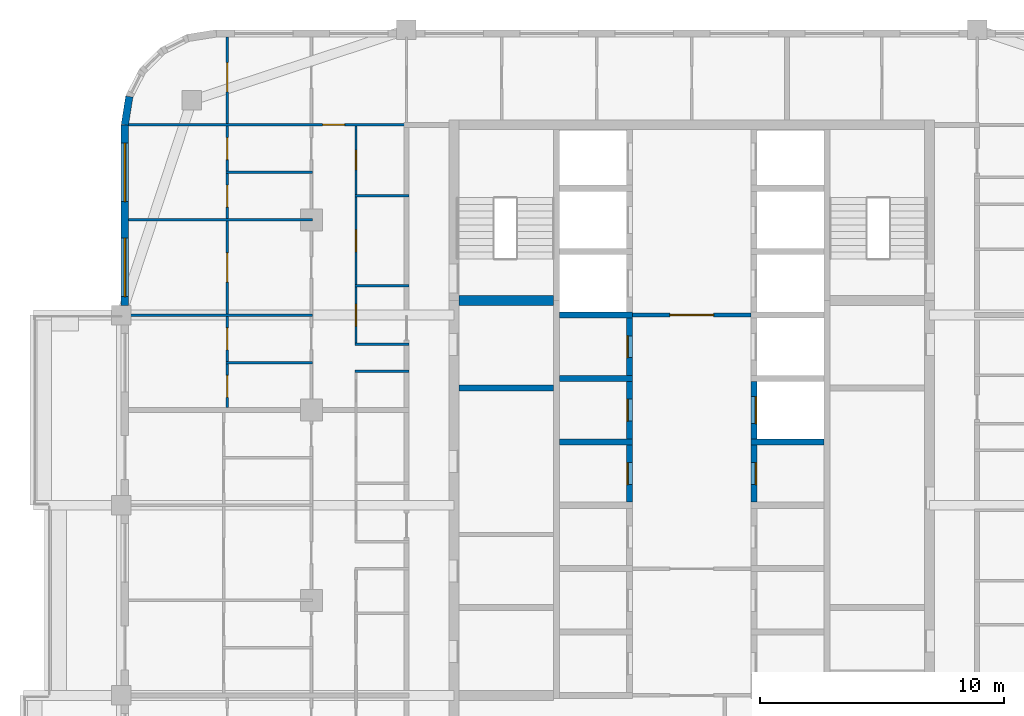
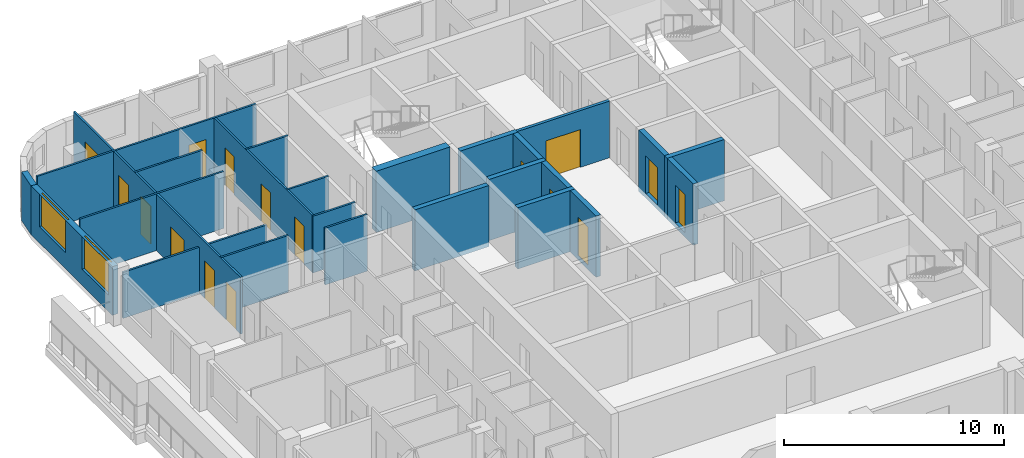
# One storey, part 9 of 16: 25 walls, 16 doors, 2 windows, 18 openings.
"""IFC4 building model written with IfcOpenShell, lengths in metres."""

import ifcopenshell
import ifcopenshell.guid

model = None  # the IFC model being written
_history = None  # IfcOwnerHistory: only IFC2X3 demands one
_inside = {}  # id of a spatial element -> (the spatial element, [elements in it])
_under = {}  # id of a project, library or spatial element -> (it, [spatial elements below it])
_declared = {}  # id of a project -> (the project, [libraries it declares])
_typed = {}  # id of a type object -> (the type object, [elements of that type])
_made_of = {}  # id of a material, layer set ... -> (it, [elements and type objects made of it])


def new_model(schema):
    """Start an empty IFC model of exactly this schema.

    Asked for "IFC4X3", IfcOpenShell would pick the latest addendum, in which some entities
    have other attributes; the version numbers below select the first issue.
    IFC2X3 requires an IfcOwnerHistory on every rooted entity: one is made here for all.
    """
    global model, _history
    if schema == "IFC4X3":
        model = ifcopenshell.file(schema_version=(4, 3, 0, 0))
    else:
        model = ifcopenshell.file(schema=schema)
    _inside.clear()
    _under.clear()
    _declared.clear()
    _typed.clear()
    _made_of.clear()
    _history = None
    if model.schema == "IFC2X3":
        org = make("IfcOrganization", Name="unknown")
        user = make(
            "IfcPersonAndOrganization",
            ThePerson=make("IfcPerson", FamilyName="unknown"),
            TheOrganization=org,
        )
        app = make(
            "IfcApplication",
            ApplicationDeveloper=org,
            Version="unknown",
            ApplicationFullName="unknown",
            ApplicationIdentifier="unknown",
        )
        _history = make(
            "IfcOwnerHistory",
            OwningUser=user,
            OwningApplication=app,
            ChangeAction="ADDED",
            CreationDate=0,
        )
    return model


def make(cls, **values):
    """One entity of the class cls with the attributes given. An attribute that is None is left unset."""
    return model.create_entity(
        cls, **{name: value for name, value in values.items() if value is not None}
    )


def rooted(cls, **values):
    """An entity with a GlobalId (a new one), such as an element, a storey or a relation."""
    return make(cls, GlobalId=ifcopenshell.guid.new(), OwnerHistory=_history, **values)


def si_unit(unit_type, name, prefix=None):
    """IfcSIUnit, for example si_unit("LENGTHUNIT", "METRE", prefix="MILLI")."""
    return make("IfcSIUnit", UnitType=unit_type, Prefix=prefix, Name=name)


def assignment(units):
    """IfcUnitAssignment: the units of a project."""
    return None if units is None else make("IfcUnitAssignment", Units=units)


def point(xyz):
    """IfcCartesianPoint."""
    return None if xyz is None else make("IfcCartesianPoint", Coordinates=xyz)


def direction(xyz):
    """IfcDirection."""
    return None if xyz is None else make("IfcDirection", DirectionRatios=xyz)


def frame(location, z_axis=None, x_axis=None):
    """IfcAxis2Placement3D, a coordinate frame: its origin and axes. An axis left out is left unset."""
    return make(
        "IfcAxis2Placement3D",
        Location=point(location),
        Axis=direction(z_axis),
        RefDirection=direction(x_axis),
    )


def frame_2d(location, x_axis=None):
    """IfcAxis2Placement2D, a coordinate frame in the plane: its origin and x axis."""
    return make(
        "IfcAxis2Placement2D", Location=point(location), RefDirection=direction(x_axis)
    )


def origin():
    """The frame at (0, 0, 0) with its axes left unset."""
    return frame((0.0, 0.0, 0.0))


def place(relative_to, where):
    """IfcLocalPlacement: puts the frame where relative to a parent placement (None: the world)."""
    return make(
        "IfcLocalPlacement", PlacementRelTo=relative_to, RelativePlacement=where
    )


def context(
    kind, dimensions, precision=None, world=None, true_north=None, identifier=None
):
    """IfcGeometricRepresentationContext, for example the 3D "Model" context."""
    return make(
        "IfcGeometricRepresentationContext",
        ContextIdentifier=identifier,
        ContextType=kind,
        CoordinateSpaceDimension=dimensions,
        Precision=precision,
        WorldCoordinateSystem=world,
        TrueNorth=true_north,
    )


def subcontext(parent, identifier, kind, view, scale=None):
    """IfcGeometricRepresentationSubContext, for example "Body" below "Model"."""
    return make(
        "IfcGeometricRepresentationSubContext",
        ContextIdentifier=identifier,
        ContextType=kind,
        ParentContext=parent,
        TargetScale=scale,
        TargetView=view,
    )


def project(units=None, contexts=None):
    """IfcProject with its units and contexts."""
    return rooted(
        "IfcProject",
        Name="project",
        RepresentationContexts=contexts,
        UnitsInContext=assignment(units),
    )


def spatial(cls, under=None, at=None, **own):
    """A site, building, storey or space (cls), placed at a placement, below another one or the project."""
    s = rooted(cls, ObjectPlacement=at, **own)
    if under is not None:
        _under.setdefault(under.id(), (under, []))[1].append(s)
    return s


def profile(cls, at=None, kind="AREA", **sizes):
    """A parametric profile (cls). Its sizes go by their IFC names, for example OverallWidth=200.0."""
    return make(cls, ProfileType=kind, Position=at, **sizes)


def rectangle(**sizes):
    """IfcRectangleProfileDef."""
    return profile("IfcRectangleProfileDef", **sizes)


def extrude(swept, where, along, depth):
    """IfcExtrudedAreaSolid: the profile swept, set in the frame where, extruded along a direction by depth."""
    return make(
        "IfcExtrudedAreaSolid",
        SweptArea=swept,
        Position=where,
        ExtrudedDirection=direction(along),
        Depth=depth,
    )


def shape(context_of_items, identifier, shape_type, items):
    """IfcShapeRepresentation: the items that make up one representation, for example the "Body"."""
    return make(
        "IfcShapeRepresentation",
        ContextOfItems=context_of_items,
        RepresentationIdentifier=identifier,
        RepresentationType=shape_type,
        Items=items,
    )


def material(Name=None, Category=None):
    """IfcMaterial."""
    return make("IfcMaterial", Name=Name, Category=Category)


def layer(
    of_material, thickness, ventilated=None, Name=None, Category=None, Priority=None
):
    """IfcMaterialLayer: one layer of a wall or slab, of a material (None: an air gap)."""
    return make(
        "IfcMaterialLayer",
        Material=of_material,
        LayerThickness=thickness,
        IsVentilated=ventilated,
        Name=Name,
        Category=Category,
        Priority=Priority,
    )


def layer_set(layers, Name=None):
    """IfcMaterialLayerSet."""
    return make("IfcMaterialLayerSet", MaterialLayers=layers, LayerSetName=Name)


def made_of(thing, what):
    """Note that an element or type object is made of a material, layer set ...; save() writes the relation."""
    if what is not None:
        _made_of.setdefault(what.id(), (what, []))[1].append(thing)
    return thing


def type_object(cls, material=None, **own):
    """A type object (cls), such as IfcWallType, which elements share."""
    return made_of(rooted(cls, **own), material)


def element(
    cls,
    number,
    at=None,
    inside=None,
    cuts=None,
    type_object=None,
    material=None,
    context=None,
    identifier="Body",
    shape_type=None,
    held_by="IfcProductDefinitionShape",
    body=None,
    shapes=None,
    **own,
):
    """One element of the class cls, such as IfcWall. Its Tag is "e" and its number.

    at: its placement. inside: the storey or other place that contains it. cuts: it is an
    opening in that element (IfcRelVoidsElement). A single representation is given by context,
    identifier, shape_type and body (its items); several are given by shapes. held_by: the class
    of the entity that holds the representations. save() writes the other relations.
    """
    e = rooted(cls, Tag="e%d" % number, ObjectPlacement=at, **own)
    if body is not None:
        shapes = [shape(context, identifier, shape_type, body)]
    if shapes is not None:
        e.Representation = make(held_by, Representations=shapes)
    if inside is not None:
        _inside.setdefault(inside.id(), (inside, []))[1].append(e)
    if cuts is not None:
        rooted(
            "IfcRelVoidsElement", RelatingBuildingElement=cuts, RelatedOpeningElement=e
        )
    if type_object is not None:
        _typed.setdefault(type_object.id(), (type_object, []))[1].append(e)
    return made_of(e, material)


def fill(opening, filler):
    """IfcRelFillsElement: the door or window that sits in an opening."""
    return rooted(
        "IfcRelFillsElement",
        RelatingOpeningElement=opening,
        RelatedBuildingElement=filler,
    )


def aggregate(whole, parts):
    """IfcRelAggregates: a whole, such as a stair, and the parts it consists of."""
    return rooted("IfcRelAggregates", RelatingObject=whole, RelatedObjects=parts)


def save(model, path):
    """Write the relations noted so far, then the file.

    IfcRelAggregates (storeys below a building ...), IfcRelContainedInSpatialStructure (elements
    in a storey), IfcRelDefinesByType, IfcRelAssociatesMaterial and IfcRelDeclares: one each for
    every whole, place, type object, material and project.
    """
    for whole, parts in _under.values():
        aggregate(whole, parts)
    for where, things in _inside.values():
        rooted(
            "IfcRelContainedInSpatialStructure",
            RelatedElements=things,
            RelatingStructure=where,
        )
    for kind, things in _typed.values():
        rooted("IfcRelDefinesByType", RelatedObjects=things, RelatingType=kind)
    for what, things in _made_of.values():
        rooted("IfcRelAssociatesMaterial", RelatedObjects=things, RelatingMaterial=what)
    for by, libraries in _declared.values():
        rooted("IfcRelDeclares", RelatingContext=by, RelatedDefinitions=libraries)
    model.write(path)


model = new_model("IFC4")

# Units and contexts
model_context = context("Model", 3, precision=1e-05, world=origin(), true_north=direction((0.0, 1.0)))
body_context = subcontext(model_context, "Body", "Model", "MODEL_VIEW")
ifc_project = project(units=[si_unit("LENGTHUNIT", "METRE"), si_unit("AREAUNIT", "SQUARE_METRE"), si_unit("VOLUMEUNIT", "CUBIC_METRE"), si_unit("PLANEANGLEUNIT", "RADIAN"), si_unit("MASSUNIT", "GRAM", prefix="KILO")], contexts=[model_context])

# Site, building, storey
site_placement = place(None, origin())
site = spatial("IfcSite", under=ifc_project, at=site_placement, CompositionType="ELEMENT")
building_placement = place(site_placement, origin())
building = spatial("IfcBuilding", under=site, at=building_placement, Name="Ludao Terraces", CompositionType="ELEMENT")
storey_placement = place(building_placement, frame((0.0, 0.0, 224.5)))
storey = spatial("IfcBuildingStorey", under=building, at=storey_placement, Name="L61", CompositionType="ELEMENT", Elevation=224.5)

# Wall, openings, windows
ifc_material_1 = material(Name="Granite cladding", Category="masonry")
ifc_layer_1 = layer(ifc_material_1, 0.0400390625, Category="stone")
ifc_material_2 = material(Name="Mineral wool")
ifc_layer_2 = layer(ifc_material_2, 0.06005859375)
ifc_material_3 = material(Name="Concrete C40", Category="concrete")
ifc_layer_3 = layer(ifc_material_3, 0.199951171875, Category="concrete")
ifc_layer_set_1 = layer_set([ifc_layer_1, ifc_layer_2, ifc_layer_3], Name="ENV Stone-clad wall 300")
wall_type_1 = type_object("IfcWallType", Name="ENV Stone-clad wall 300", PredefinedType="SOLIDWALL", material=ifc_layer_set_1)
wall_1_placement = place(storey_placement, frame((61.75, 77.10009765625, 0.0), z_axis=(0.0, 0.0, 1.0), x_axis=(0.0, 1.0, 0.0)))
wall_1 = element("IfcWall", 1, at=wall_1_placement, inside=storey, type_object=wall_type_1, Name="EW-L61-W5", PredefinedType="SOLIDWALL", context=body_context, shape_type="SweptSolid", body=[
    extrude(rectangle(XDim=7.39990234375, YDim=0.300048828125, at=frame_2d((3.699951171875, 0.0))), origin(), (0.0, 0.0, 1.0), 2.699951171875),
])
opening_1_placement = place(wall_1_placement, frame((0.35009765625, 0.0, 0.89990234375)))
opening_1 = element("IfcOpeningElement", 2, at=opening_1_placement, cuts=wall_1, Name="Opening W1", PredefinedType="OPENING", context=body_context, shape_type="SweptSolid", body=[
    extrude(rectangle(XDim=2.39990234375, YDim=1.800048828125, at=frame_2d((1.199951171875, 0.89990234375))), frame((0.0, 0.16015625, 0.0), z_axis=(0.0, -1.0, 0.0), x_axis=(1.0, 0.0, 0.0)), (0.0, 0.0, 1.0), 0.320068359375),
])
opening_2_placement = place(wall_1_placement, frame((4.25, 0.0, 0.89990234375)))
opening_2 = element("IfcOpeningElement", 3, at=opening_2_placement, cuts=wall_1, Name="Opening W1", PredefinedType="OPENING", context=body_context, shape_type="SweptSolid", body=[
    extrude(rectangle(XDim=2.39990234375, YDim=1.800048828125, at=frame_2d((1.199951171875, 0.89990234375))), frame((0.0, 0.16015625, 0.0), z_axis=(0.0, -1.0, 0.0), x_axis=(1.0, 0.0, 0.0)), (0.0, 0.0, 1.0), 0.320068359375),
])
ifc_material_4 = material(Name="Clear glass in aluminium frame", Category="aluminium")
ifc_layer_4 = layer(ifc_material_4, 0.06005859375)
ifc_layer_set_2 = layer_set([ifc_layer_4], Name="ENV Window W1 2400x1800")
window_type = type_object("IfcWindowType", Name="ENV Window W1 2400x1800", PartitioningType="DOUBLE_PANEL_VERTICAL", PredefinedType="WINDOW", material=ifc_layer_set_2)
window_1_placement = place(opening_1_placement, origin())
window_1 = element("IfcWindow", 4, at=window_1_placement, inside=storey, type_object=window_type, Name="W-L61-W5-1", OverallHeight=1.800048828125, OverallWidth=2.39990234375, PartitioningType="DOUBLE_PANEL_VERTICAL", PredefinedType="WINDOW", context=body_context, shape_type="SweptSolid", body=[
    extrude(rectangle(XDim=2.39990234375, YDim=1.800048828125, at=frame_2d((1.199951171875, 0.89990234375))), frame((0.0, 0.030029296875, 0.0), z_axis=(0.0, -1.0, 0.0), x_axis=(1.0, 0.0, 0.0)), (0.0, 0.0, 1.0), 0.06005859375),
])
fill(opening_1, window_1)
window_2_placement = place(opening_2_placement, origin())
window_2 = element("IfcWindow", 5, at=window_2_placement, inside=storey, type_object=window_type, Name="W-L61-W5-2", OverallHeight=1.800048828125, OverallWidth=2.39990234375, PartitioningType="DOUBLE_PANEL_VERTICAL", PredefinedType="WINDOW", context=body_context, shape_type="SweptSolid", body=[
    extrude(rectangle(XDim=2.39990234375, YDim=1.800048828125, at=frame_2d((1.199951171875, 0.89990234375))), frame((0.0, 0.030029296875, 0.0), z_axis=(0.0, -1.0, 0.0), x_axis=(1.0, 0.0, 0.0)), (0.0, 0.0, 1.0), 0.06005859375),
])
fill(opening_2, window_2)

# Wall
wall_2_placement = place(storey_placement, frame((61.93359375, 85.65869140625, 0.0), z_axis=(0.0, 0.0, 1.0), x_axis=(-0.156496880861, -0.987678452879, 0.0)))
element("IfcWall", 6, at=wall_2_placement, inside=storey, type_object=wall_type_1, Name="EW-L61-NW5", PredefinedType="SOLIDWALL", context=body_context, shape_type="SweptSolid", body=[
    extrude(rectangle(XDim=1.173095703125, YDim=0.300048828125, at=frame_2d((0.58642578125, 0.0))), origin(), (0.0, 0.0, 1.0), 2.699951171875),
])

# Wall, opening, door
ifc_material_5 = material(Name="Fire-rated gypsum plasterboard", Category="gypsum")
ifc_layer_5 = layer(ifc_material_5, 0.012451171875, Category="gypsum")
ifc_layer_6 = layer(ifc_material_2, 0.10009765625, Name="insulation")
ifc_material_6 = material(Name="Steel Q235", Category="steel")
ifc_layer_7 = layer(ifc_material_6, 0.02490234375, Name="stud")
ifc_layer_8 = layer(ifc_material_5, 0.012451171875, Category="gypsum")
ifc_layer_set_3 = layer_set([ifc_layer_5, ifc_layer_6, ifc_layer_7, ifc_layer_8], Name="INT Core partition 150")
wall_type_2 = type_object("IfcWallType", Name="INT Core partition 150", PredefinedType="PARTITIONING", material=ifc_layer_set_3)
wall_3_placement = place(storey_placement, frame((82.5751953125, 76.699951171875, 0.0), z_axis=(0.0, 0.0, 1.0), x_axis=(1.0, 0.0, 0.0)))
wall_3 = element("IfcWall", 7, at=wall_3_placement, inside=storey, type_object=wall_type_2, Name="PW-L61-PW055", PredefinedType="PARTITIONING", context=body_context, shape_type="SweptSolid", body=[
    extrude(rectangle(XDim=4.849853515625, YDim=0.14990234375, at=frame_2d((2.4248046875, 0.0))), origin(), (0.0, 0.0, 1.0), 3.14990234375),
])
opening_3_placement = place(wall_3_placement, frame((1.52490234375, 0.0, 0.0)))
opening_3 = element("IfcOpeningElement", 8, at=opening_3_placement, cuts=wall_3, Name="Opening R22-105", PredefinedType="OPENING", context=body_context, shape_type="SweptSolid", body=[
    extrude(rectangle(XDim=1.800048828125, YDim=2.10009765625, at=frame_2d((0.89990234375, 1.050048828125))), frame((0.0, 0.0849609375, 0.0), z_axis=(0.0, -1.0, 0.0), x_axis=(1.0, 0.0, 0.0)), (0.0, 0.0, 1.0), 0.169921875),
])
door_type_1 = type_object("IfcDoorType", Name="INT Fire lobby door 1800", OperationType="DOUBLE_DOOR_SINGLE_SWING", PredefinedType="DOOR", material=ifc_material_6)
door_1_placement = place(opening_3_placement, origin())
door_1 = element("IfcDoor", 9, at=door_1_placement, inside=storey, type_object=door_type_1, Name="DOOR 105", OperationType="DOUBLE_DOOR_SINGLE_SWING", OverallHeight=2.10009765625, OverallWidth=1.800048828125, PredefinedType="DOOR", context=body_context, shape_type="SweptSolid", body=[
    extrude(rectangle(XDim=1.800048828125, YDim=2.10009765625, at=frame_2d((0.89990234375, 1.050048828125))), frame((0.0, 0.02490234375, 0.0), z_axis=(0.0, -1.0, 0.0), x_axis=(1.0, 0.0, 0.0)), (0.0, 0.0, 1.0), 0.050048828125),
])
fill(opening_3, door_1)

# Walls
ifc_material_7 = material(Name="Gypsum plasterboard", Category="gypsum")
ifc_layer_9 = layer(ifc_material_7, 0.012451171875, Category="gypsum")
ifc_layer_10 = layer(ifc_material_2, 0.06005859375, Name="insulation")
ifc_layer_11 = layer(ifc_material_6, 0.014892578125, Name="stud")
ifc_layer_12 = layer(ifc_material_7, 0.012451171875, Category="gypsum")
ifc_layer_set_4 = layer_set([ifc_layer_9, ifc_layer_10, ifc_layer_11, ifc_layer_12], Name="INT Partition 100")
wall_type_3 = type_object("IfcWallType", Name="INT Partition 100", PredefinedType="PARTITIONING", material=ifc_layer_set_4)
wall_4_placement = place(storey_placement, frame((71.18017578125, 74.39990234375, 0.0), z_axis=(0.0, 0.0, 1.0), x_axis=(1.0, 0.0, 0.0)))
element("IfcWall", 10, at=wall_4_placement, inside=storey, type_object=wall_type_3, Name="PW-L61-PW050", PredefinedType="PARTITIONING", context=body_context, shape_type="SweptSolid", body=[
    extrude(rectangle(XDim=2.219970703125, YDim=0.10009765625, at=frame_2d((1.10986328125, 0.0))), origin(), (0.0, 0.0, 1.0), 3.14990234375),
])
wall_5_placement = place(storey_placement, frame((65.900146484375, 74.75, 0.0), z_axis=(0.0, 0.0, 1.0), x_axis=(1.0, 0.0, 0.0)))
element("IfcWall", 11, at=wall_5_placement, inside=storey, type_object=wall_type_3, Name="PW-L61-PW051", PredefinedType="PARTITIONING", context=body_context, shape_type="SweptSolid", body=[
    extrude(rectangle(XDim=3.550048828125, YDim=0.10009765625, at=frame_2d((1.77490234375, 0.0))), origin(), (0.0, 0.0, 1.0), 3.14990234375),
])
wall_6_placement = place(storey_placement, frame((71.18017578125, 75.5, 0.0), z_axis=(0.0, 0.0, 1.0), x_axis=(1.0, 0.0, 0.0)))
element("IfcWall", 12, at=wall_6_placement, inside=storey, type_object=wall_type_3, Name="PW-L61-PW053", PredefinedType="PARTITIONING", context=body_context, shape_type="SweptSolid", body=[
    extrude(rectangle(XDim=2.219970703125, YDim=0.10009765625, at=frame_2d((1.10986328125, 0.0))), origin(), (0.0, 0.0, 1.0), 3.14990234375),
])
wall_7_placement = place(storey_placement, frame((61.900146484375, 76.699951171875, 0.0), z_axis=(0.0, 0.0, 1.0), x_axis=(1.0, 0.0, 0.0)))
element("IfcWall", 13, at=wall_7_placement, inside=storey, type_object=wall_type_3, Name="PW-L61-PW054", PredefinedType="PARTITIONING", context=body_context, shape_type="SweptSolid", body=[
    extrude(rectangle(XDim=7.550048828125, YDim=0.10009765625, at=frame_2d((3.77490234375, 0.0))), origin(), (0.0, 0.0, 1.0), 2.550048828125),
])
wall_8_placement = place(storey_placement, frame((71.18017578125, 77.89990234375, 0.0), z_axis=(0.0, 0.0, 1.0), x_axis=(1.0, 0.0, 0.0)))
element("IfcWall", 14, at=wall_8_placement, inside=storey, type_object=wall_type_3, Name="PW-L61-PW057", PredefinedType="PARTITIONING", context=body_context, shape_type="SweptSolid", body=[
    extrude(rectangle(XDim=2.219970703125, YDim=0.10009765625, at=frame_2d((1.10986328125, 0.0))), origin(), (0.0, 0.0, 1.0), 3.14990234375),
])
wall_9_placement = place(storey_placement, frame((61.900146484375, 80.60009765625, 0.0), z_axis=(0.0, 0.0, 1.0), x_axis=(1.0, 0.0, 0.0)))
element("IfcWall", 15, at=wall_9_placement, inside=storey, type_object=wall_type_3, Name="PW-L61-PW059", PredefinedType="PARTITIONING", context=body_context, shape_type="SweptSolid", body=[
    extrude(rectangle(XDim=7.550048828125, YDim=0.10009765625, at=frame_2d((3.77490234375, 0.0))), origin(), (0.0, 0.0, 1.0), 3.14990234375),
])
wall_10_placement = place(storey_placement, frame((71.18017578125, 81.60009765625, 0.0), z_axis=(0.0, 0.0, 1.0), x_axis=(1.0, 0.0, 0.0)))
element("IfcWall", 16, at=wall_10_placement, inside=storey, type_object=wall_type_3, Name="PW-L61-PW062", PredefinedType="PARTITIONING", context=body_context, shape_type="SweptSolid", body=[
    extrude(rectangle(XDim=2.219970703125, YDim=0.10009765625, at=frame_2d((1.10986328125, 0.0))), origin(), (0.0, 0.0, 1.0), 3.14990234375),
])
wall_11_placement = place(storey_placement, frame((65.900146484375, 82.550048828125, 0.0), z_axis=(0.0, 0.0, 1.0), x_axis=(1.0, 0.0, 0.0)))
element("IfcWall", 17, at=wall_11_placement, inside=storey, type_object=wall_type_3, Name="PW-L61-PW064", PredefinedType="PARTITIONING", context=body_context, shape_type="SweptSolid", body=[
    extrude(rectangle(XDim=3.550048828125, YDim=0.10009765625, at=frame_2d((1.77490234375, 0.0))), origin(), (0.0, 0.0, 1.0), 3.14990234375),
])

# Wall, opening, door
wall_12_placement = place(storey_placement, frame((61.900146484375, 84.5, 0.0), z_axis=(0.0, 0.0, 1.0), x_axis=(1.0, 0.0, 0.0)))
wall_12 = element("IfcWall", 18, at=wall_12_placement, inside=storey, type_object=wall_type_3, Name="PW-L61-PW065", PredefinedType="PARTITIONING", context=body_context, shape_type="SweptSolid", body=[
    extrude(rectangle(XDim=11.5, YDim=0.10009765625, at=frame_2d((5.75, 0.0))), origin(), (0.0, 0.0, 1.0), 3.14990234375),
])
opening_4_placement = place(wall_12_placement, frame((7.965087890625, 0.0, 0.0)))
opening_4 = element("IfcOpeningElement", 19, at=opening_4_placement, cuts=wall_12, Name="Opening R22-129", PredefinedType="OPENING", context=body_context, shape_type="SweptSolid", body=[
    extrude(rectangle(XDim=0.89990234375, YDim=2.10009765625, at=frame_2d((0.449951171875, 1.050048828125))), frame((0.0, 0.06005859375, 0.0), z_axis=(0.0, -1.0, 0.0), x_axis=(1.0, 0.0, 0.0)), (0.0, 0.0, 1.0), 0.1201171875),
])
ifc_material_8 = material(Name="Timber door leaf", Category="wood")
door_type_2 = type_object("IfcDoorType", Name="INT Room door 900", OperationType="SINGLE_SWING_LEFT", PredefinedType="DOOR", material=ifc_material_8)
door_2_placement = place(opening_4_placement, origin())
door_2 = element("IfcDoor", 20, at=door_2_placement, inside=storey, type_object=door_type_2, Name="DOOR 129", OperationType="SINGLE_SWING_LEFT", OverallHeight=2.10009765625, OverallWidth=0.89990234375, PredefinedType="DOOR", context=body_context, shape_type="SweptSolid", body=[
    extrude(rectangle(XDim=0.89990234375, YDim=2.10009765625, at=frame_2d((0.449951171875, 1.050048828125))), frame((0.0, 0.02490234375, 0.0), z_axis=(0.0, -1.0, 0.0), x_axis=(1.0, 0.0, 0.0)), (0.0, 0.0, 1.0), 0.050048828125),
])
fill(opening_4, door_2)

# Wall, openings, doors
wall_13_placement = place(storey_placement, frame((65.949951171875, 72.900146484375, 0.0), z_axis=(0.0, 0.0, 1.0), x_axis=(0.0, 1.0, 0.0)))
wall_13 = element("IfcWall", 21, at=wall_13_placement, inside=storey, type_object=wall_type_3, Name="PW-L61-PW071", PredefinedType="PARTITIONING", context=body_context, shape_type="SweptSolid", body=[
    extrude(rectangle(XDim=15.199951171875, YDim=0.10009765625, at=frame_2d((7.60009765625, 0.0))), origin(), (0.0, 0.0, 1.0), 3.14990234375),
])
opening_5_placement = place(wall_13_placement, frame((0.425048828125, 0.0, 0.0)))
opening_5 = element("IfcOpeningElement", 22, at=opening_5_placement, cuts=wall_13, Name="Opening R22-092", PredefinedType="OPENING", context=body_context, shape_type="SweptSolid", body=[
    extrude(rectangle(XDim=0.89990234375, YDim=2.10009765625, at=frame_2d((0.449951171875, 1.050048828125))), frame((0.0, 0.06005859375, 0.0), z_axis=(0.0, -1.0, 0.0), x_axis=(1.0, 0.0, 0.0)), (0.0, 0.0, 1.0), 0.1201171875),
])
opening_6_placement = place(wall_13_placement, frame((2.375, 0.0, 0.0)))
opening_6 = element("IfcOpeningElement", 23, at=opening_6_placement, cuts=wall_13, Name="Opening R22-099", PredefinedType="OPENING", context=body_context, shape_type="SweptSolid", body=[
    extrude(rectangle(XDim=0.89990234375, YDim=2.10009765625, at=frame_2d((0.449951171875, 1.050048828125))), frame((0.0, 0.06005859375, 0.0), z_axis=(0.0, -1.0, 0.0), x_axis=(1.0, 0.0, 0.0)), (0.0, 0.0, 1.0), 0.1201171875),
])
opening_7_placement = place(wall_13_placement, frame((5.14990234375, 0.0, 0.0)))
opening_7 = element("IfcOpeningElement", 24, at=opening_7_placement, cuts=wall_13, Name="Opening R22-111", PredefinedType="OPENING", context=body_context, shape_type="SweptSolid", body=[
    extrude(rectangle(XDim=1.199951171875, YDim=2.10009765625, at=frame_2d((0.60009765625, 1.050048828125))), frame((0.0, 0.06005859375, 0.0), z_axis=(0.0, -1.0, 0.0), x_axis=(1.0, 0.0, 0.0)), (0.0, 0.0, 1.0), 0.1201171875),
])
opening_8_placement = place(wall_13_placement, frame((8.22509765625, 0.0, 0.0)))
opening_8 = element("IfcOpeningElement", 25, at=opening_8_placement, cuts=wall_13, Name="Opening R22-119", PredefinedType="OPENING", context=body_context, shape_type="SweptSolid", body=[
    extrude(rectangle(XDim=0.89990234375, YDim=2.10009765625, at=frame_2d((0.449951171875, 1.050048828125))), frame((0.0, 0.06005859375, 0.0), z_axis=(0.0, -1.0, 0.0), x_axis=(1.0, 0.0, 0.0)), (0.0, 0.0, 1.0), 0.1201171875),
])
opening_9_placement = place(wall_13_placement, frame((10.175048828125, 0.0, 0.0)))
opening_9 = element("IfcOpeningElement", 26, at=opening_9_placement, cuts=wall_13, Name="Opening R22-127", PredefinedType="OPENING", context=body_context, shape_type="SweptSolid", body=[
    extrude(rectangle(XDim=0.89990234375, YDim=2.10009765625, at=frame_2d((0.449951171875, 1.050048828125))), frame((0.0, 0.06005859375, 0.0), z_axis=(0.0, -1.0, 0.0), x_axis=(1.0, 0.0, 0.0)), (0.0, 0.0, 1.0), 0.1201171875),
])
opening_10_placement = place(wall_13_placement, frame((12.949951171875, 0.0, 0.0)))
opening_10 = element("IfcOpeningElement", 27, at=opening_10_placement, cuts=wall_13, Name="Opening R22-131", PredefinedType="OPENING", context=body_context, shape_type="SweptSolid", body=[
    extrude(rectangle(XDim=1.199951171875, YDim=2.10009765625, at=frame_2d((0.60009765625, 1.050048828125))), frame((0.0, 0.06005859375, 0.0), z_axis=(0.0, -1.0, 0.0), x_axis=(1.0, 0.0, 0.0)), (0.0, 0.0, 1.0), 0.1201171875),
])
door_type_3 = type_object("IfcDoorType", Name="INT Bathroom door 900", OperationType="SINGLE_SWING_LEFT", PredefinedType="DOOR", material=ifc_material_8)
door_3_placement = place(opening_5_placement, origin())
door_3 = element("IfcDoor", 28, at=door_3_placement, inside=storey, type_object=door_type_3, Name="DOOR 092", OperationType="SINGLE_SWING_RIGHT", OverallHeight=2.10009765625, OverallWidth=0.89990234375, PredefinedType="DOOR", context=body_context, shape_type="SweptSolid", body=[
    extrude(rectangle(XDim=0.89990234375, YDim=2.10009765625, at=frame_2d((0.449951171875, 1.050048828125))), frame((0.0, 0.02490234375, 0.0), z_axis=(0.0, -1.0, 0.0), x_axis=(1.0, 0.0, 0.0)), (0.0, 0.0, 1.0), 0.050048828125),
])
fill(opening_5, door_3)
door_4_placement = place(opening_8_placement, origin())
door_4 = element("IfcDoor", 29, at=door_4_placement, inside=storey, type_object=door_type_3, Name="DOOR 119", OperationType="SINGLE_SWING_LEFT", OverallHeight=2.10009765625, OverallWidth=0.89990234375, PredefinedType="DOOR", context=body_context, shape_type="SweptSolid", body=[
    extrude(rectangle(XDim=0.89990234375, YDim=2.10009765625, at=frame_2d((0.449951171875, 1.050048828125))), frame((0.0, 0.02490234375, 0.0), z_axis=(0.0, -1.0, 0.0), x_axis=(1.0, 0.0, 0.0)), (0.0, 0.0, 1.0), 0.050048828125),
])
fill(opening_8, door_4)
door_type_4 = type_object("IfcDoorType", Name="INT Double door 1200", OperationType="DOUBLE_DOOR_SINGLE_SWING", PredefinedType="DOOR", material=ifc_material_8)
door_5_placement = place(opening_7_placement, origin())
door_5 = element("IfcDoor", 30, at=door_5_placement, inside=storey, type_object=door_type_4, Name="DOOR 111", OperationType="DOUBLE_DOOR_SINGLE_SWING", OverallHeight=2.10009765625, OverallWidth=1.199951171875, PredefinedType="DOOR", context=body_context, shape_type="SweptSolid", body=[
    extrude(rectangle(XDim=1.199951171875, YDim=2.10009765625, at=frame_2d((0.60009765625, 1.050048828125))), frame((0.0, 0.02490234375, 0.0), z_axis=(0.0, -1.0, 0.0), x_axis=(1.0, 0.0, 0.0)), (0.0, 0.0, 1.0), 0.050048828125),
])
fill(opening_7, door_5)
door_6_placement = place(opening_10_placement, origin())
door_6 = element("IfcDoor", 31, at=door_6_placement, inside=storey, type_object=door_type_4, Name="DOOR 131", OperationType="DOUBLE_DOOR_SINGLE_SWING", OverallHeight=2.10009765625, OverallWidth=1.199951171875, PredefinedType="DOOR", context=body_context, shape_type="SweptSolid", body=[
    extrude(rectangle(XDim=1.199951171875, YDim=2.10009765625, at=frame_2d((0.60009765625, 1.050048828125))), frame((0.0, 0.02490234375, 0.0), z_axis=(0.0, -1.0, 0.0), x_axis=(1.0, 0.0, 0.0)), (0.0, 0.0, 1.0), 0.050048828125),
])
fill(opening_10, door_6)
door_7_placement = place(opening_6_placement, origin())
door_7 = element("IfcDoor", 32, at=door_7_placement, inside=storey, type_object=door_type_2, Name="DOOR 099", OperationType="SINGLE_SWING_RIGHT", OverallHeight=2.10009765625, OverallWidth=0.89990234375, PredefinedType="DOOR", context=body_context, shape_type="SweptSolid", body=[
    extrude(rectangle(XDim=0.89990234375, YDim=2.10009765625, at=frame_2d((0.449951171875, 1.050048828125))), frame((0.0, 0.02490234375, 0.0), z_axis=(0.0, -1.0, 0.0), x_axis=(1.0, 0.0, 0.0)), (0.0, 0.0, 1.0), 0.050048828125),
])
fill(opening_6, door_7)
door_8_placement = place(opening_9_placement, origin())
door_8 = element("IfcDoor", 33, at=door_8_placement, inside=storey, type_object=door_type_2, Name="DOOR 127", OperationType="SINGLE_SWING_RIGHT", OverallHeight=2.10009765625, OverallWidth=0.89990234375, PredefinedType="DOOR", context=body_context, shape_type="SweptSolid", body=[
    extrude(rectangle(XDim=0.89990234375, YDim=2.10009765625, at=frame_2d((0.449951171875, 1.050048828125))), frame((0.0, 0.02490234375, 0.0), z_axis=(0.0, -1.0, 0.0), x_axis=(1.0, 0.0, 0.0)), (0.0, 0.0, 1.0), 0.050048828125),
])
fill(opening_9, door_8)

wall_14_placement = place(storey_placement, frame((71.22998046875, 75.550048828125, 0.0), z_axis=(0.0, 0.0, 1.0), x_axis=(0.0, 1.0, 0.0)))
wall_14 = element("IfcWall", 34, at=wall_14_placement, inside=storey, type_object=wall_type_3, Name="PW-L61-PW076", PredefinedType="PARTITIONING", context=body_context, shape_type="SweptSolid", body=[
    extrude(rectangle(XDim=8.900146484375, YDim=0.10009765625, at=frame_2d((4.4501953125, 0.0))), origin(), (0.0, 0.0, 1.0), 3.14990234375),
])
opening_11_placement = place(wall_14_placement, frame((0.699951171875, 0.0, 0.0)))
opening_11 = element("IfcOpeningElement", 35, at=opening_11_placement, cuts=wall_14, Name="Opening R22-104", PredefinedType="OPENING", context=body_context, shape_type="SweptSolid", body=[
    extrude(rectangle(XDim=0.89990234375, YDim=2.10009765625, at=frame_2d((0.449951171875, 1.050048828125))), frame((0.0, 0.06005859375, 0.0), z_axis=(0.0, -1.0, 0.0), x_axis=(1.0, 0.0, 0.0)), (0.0, 0.0, 1.0), 0.1201171875),
])
opening_12_placement = place(wall_14_placement, frame((3.75, 0.0, 0.0)))
opening_12 = element("IfcOpeningElement", 36, at=opening_12_placement, cuts=wall_14, Name="Opening R22-115", PredefinedType="OPENING", context=body_context, shape_type="SweptSolid", body=[
    extrude(rectangle(XDim=0.89990234375, YDim=2.10009765625, at=frame_2d((0.449951171875, 1.050048828125))), frame((0.0, 0.06005859375, 0.0), z_axis=(0.0, -1.0, 0.0), x_axis=(1.0, 0.0, 0.0)), (0.0, 0.0, 1.0), 0.1201171875),
])
opening_13_placement = place(wall_14_placement, frame((7.10009765625, 0.0, 0.0)))
opening_13 = element("IfcOpeningElement", 37, at=opening_13_placement, cuts=wall_14, Name="Opening R22-123", PredefinedType="OPENING", context=body_context, shape_type="SweptSolid", body=[
    extrude(rectangle(XDim=0.800048828125, YDim=2.10009765625, at=frame_2d((0.39990234375, 1.050048828125))), frame((0.0, 0.06005859375, 0.0), z_axis=(0.0, -1.0, 0.0), x_axis=(1.0, 0.0, 0.0)), (0.0, 0.0, 1.0), 0.1201171875),
])
door_9_placement = place(opening_11_placement, origin())
door_9 = element("IfcDoor", 38, at=door_9_placement, inside=storey, type_object=door_type_3, Name="DOOR 104", OperationType="SINGLE_SWING_RIGHT", OverallHeight=2.10009765625, OverallWidth=0.89990234375, PredefinedType="DOOR", context=body_context, shape_type="SweptSolid", body=[
    extrude(rectangle(XDim=0.89990234375, YDim=2.10009765625, at=frame_2d((0.449951171875, 1.050048828125))), frame((0.0, 0.02490234375, 0.0), z_axis=(0.0, -1.0, 0.0), x_axis=(1.0, 0.0, 0.0)), (0.0, 0.0, 1.0), 0.050048828125),
])
fill(opening_11, door_9)
door_10_placement = place(opening_12_placement, origin())
door_10 = element("IfcDoor", 39, at=door_10_placement, inside=storey, type_object=door_type_2, Name="DOOR 115", OperationType="SINGLE_SWING_RIGHT", OverallHeight=2.10009765625, OverallWidth=0.89990234375, PredefinedType="DOOR", context=body_context, shape_type="SweptSolid", body=[
    extrude(rectangle(XDim=0.89990234375, YDim=2.10009765625, at=frame_2d((0.449951171875, 1.050048828125))), frame((0.0, 0.02490234375, 0.0), z_axis=(0.0, -1.0, 0.0), x_axis=(1.0, 0.0, 0.0)), (0.0, 0.0, 1.0), 0.050048828125),
])
fill(opening_12, door_10)
door_type_5 = type_object("IfcDoorType", Name="INT Store door 800", OperationType="SINGLE_SWING_LEFT", PredefinedType="DOOR", material=ifc_material_8)
door_11_placement = place(opening_13_placement, origin())
door_11 = element("IfcDoor", 40, at=door_11_placement, inside=storey, type_object=door_type_5, Name="DOOR 123", OperationType="SINGLE_SWING_RIGHT", OverallHeight=2.10009765625, OverallWidth=0.800048828125, PredefinedType="DOOR", context=body_context, shape_type="SweptSolid", body=[
    extrude(rectangle(XDim=0.800048828125, YDim=2.10009765625, at=frame_2d((0.39990234375, 1.050048828125))), frame((0.0, 0.02490234375, 0.0), z_axis=(0.0, -1.0, 0.0), x_axis=(1.0, 0.0, 0.0)), (0.0, 0.0, 1.0), 0.050048828125),
])
fill(opening_13, door_11)

# Wall, opening, door
ifc_material_9 = material(Name="Concrete C50", Category="concrete")
ifc_layer_13 = layer(ifc_material_9, 0.25)
ifc_layer_set_5 = layer_set([ifc_layer_13], Name="Shaft wall 250 C50")
wall_type_4 = type_object("IfcWallType", Name="Shaft wall 250 C50", PredefinedType="SOLIDWALL", material=ifc_layer_set_5)
wall_15_placement = place(storey_placement, frame((82.449951171875, 69.02490234375, -0.25), z_axis=(0.0, 0.0, 1.0), x_axis=(0.0, 1.0, 0.0)))
wall_15 = element("IfcWall", 41, at=wall_15_placement, inside=storey, type_object=wall_type_4, Name="Core wall L61 front-W4", PredefinedType="SOLIDWALL", context=body_context, shape_type="SweptSolid", body=[
    extrude(rectangle(XDim=2.35009765625, YDim=0.25, at=frame_2d((1.175048828125, 0.0))), origin(), (0.0, 0.0, 1.0), 3.39990234375),
])
opening_14_placement = place(wall_15_placement, frame((0.72509765625, 0.0, 0.25)))
opening_14 = element("IfcOpeningElement", 42, at=opening_14_placement, cuts=wall_15, Name="Opening R22-079", PredefinedType="OPENING", context=body_context, shape_type="SweptSolid", body=[
    extrude(rectangle(XDim=0.89990234375, YDim=2.10009765625, at=frame_2d((0.449951171875, 1.050048828125))), frame((0.0, 0.135009765625, 0.0), z_axis=(0.0, -1.0, 0.0), x_axis=(1.0, 0.0, 0.0)), (0.0, 0.0, 1.0), 0.27001953125),
])
door_12_placement = place(opening_14_placement, origin())
door_12 = element("IfcDoor", 43, at=door_12_placement, inside=storey, type_object=door_type_2, Name="DOOR 079", OperationType="SINGLE_SWING_RIGHT", OverallHeight=2.10009765625, OverallWidth=0.89990234375, PredefinedType="DOOR", context=body_context, shape_type="SweptSolid", body=[
    extrude(rectangle(XDim=0.89990234375, YDim=2.10009765625, at=frame_2d((0.449951171875, 1.050048828125))), frame((0.0, 0.10986328125, 0.0), z_axis=(0.0, -1.0, 0.0), x_axis=(1.0, 0.0, 0.0)), (0.0, 0.0, 1.0), 0.050048828125),
])
fill(opening_14, door_12)

# Wall
wall_16_placement = place(storey_placement, frame((79.574951171875, 71.5, -0.25), z_axis=(0.0, 0.0, 1.0), x_axis=(1.0, 0.0, 0.0)))
element("IfcWall", 44, at=wall_16_placement, inside=storey, type_object=wall_type_4, Name="Core wall L61 div-W5", PredefinedType="SOLIDWALL", context=body_context, shape_type="SweptSolid", body=[
    extrude(rectangle(XDim=3.0, YDim=0.25, at=frame_2d((1.5, 0.0))), origin(), (0.0, 0.0, 1.0), 3.39990234375),
])

# Wall, opening, door
wall_17_placement = place(storey_placement, frame((82.449951171875, 71.625, -0.25), z_axis=(0.0, 0.0, 1.0), x_axis=(0.0, 1.0, 0.0)))
wall_17 = element("IfcWall", 45, at=wall_17_placement, inside=storey, type_object=wall_type_4, Name="Core wall L61 front-W5", PredefinedType="SOLIDWALL", context=body_context, shape_type="SweptSolid", body=[
    extrude(rectangle(XDim=2.35009765625, YDim=0.25, at=frame_2d((1.175048828125, 0.0))), origin(), (0.0, 0.0, 1.0), 3.39990234375),
])
opening_15_placement = place(wall_17_placement, frame((0.72509765625, 0.0, 0.25)))
opening_15 = element("IfcOpeningElement", 46, at=opening_15_placement, cuts=wall_17, Name="Opening R22-087", PredefinedType="OPENING", context=body_context, shape_type="SweptSolid", body=[
    extrude(rectangle(XDim=0.89990234375, YDim=2.10009765625, at=frame_2d((0.449951171875, 1.050048828125))), frame((0.0, 0.135009765625, 0.0), z_axis=(0.0, -1.0, 0.0), x_axis=(1.0, 0.0, 0.0)), (0.0, 0.0, 1.0), 0.27001953125),
])
door_13_placement = place(opening_15_placement, origin())
door_13 = element("IfcDoor", 47, at=door_13_placement, inside=storey, type_object=door_type_2, Name="DOOR 087", OperationType="SINGLE_SWING_LEFT", OverallHeight=2.10009765625, OverallWidth=0.89990234375, PredefinedType="DOOR", context=body_context, shape_type="SweptSolid", body=[
    extrude(rectangle(XDim=0.89990234375, YDim=2.10009765625, at=frame_2d((0.449951171875, 1.050048828125))), frame((0.0, 0.10986328125, 0.0), z_axis=(0.0, -1.0, 0.0), x_axis=(1.0, 0.0, 0.0)), (0.0, 0.0, 1.0), 0.050048828125),
])
fill(opening_15, door_13)

# Wall
wall_18_placement = place(storey_placement, frame((79.574951171875, 74.10009765625, -0.25), z_axis=(0.0, 0.0, 1.0), x_axis=(1.0, 0.0, 0.0)))
element("IfcWall", 48, at=wall_18_placement, inside=storey, type_object=wall_type_4, Name="Core wall L61 div-W6", PredefinedType="SOLIDWALL", context=body_context, shape_type="SweptSolid", body=[
    extrude(rectangle(XDim=3.0, YDim=0.25, at=frame_2d((1.5, 0.0))), origin(), (0.0, 0.0, 1.0), 3.39990234375),
])

# Wall, opening, door
wall_19_placement = place(storey_placement, frame((82.449951171875, 74.22509765625, -0.25), z_axis=(0.0, 0.0, 1.0), x_axis=(0.0, 1.0, 0.0)))
wall_19 = element("IfcWall", 49, at=wall_19_placement, inside=storey, type_object=wall_type_4, Name="Core wall L61 front-W6", PredefinedType="SOLIDWALL", context=body_context, shape_type="SweptSolid", body=[
    extrude(rectangle(XDim=2.349853515625, YDim=0.25, at=frame_2d((1.1748046875, 0.0))), origin(), (0.0, 0.0, 1.0), 3.39990234375),
])
opening_16_placement = place(wall_19_placement, frame((0.72509765625, 0.0, 0.25)))
opening_16 = element("IfcOpeningElement", 50, at=opening_16_placement, cuts=wall_19, Name="Opening R22-094", PredefinedType="OPENING", context=body_context, shape_type="SweptSolid", body=[
    extrude(rectangle(XDim=0.89990234375, YDim=2.10009765625, at=frame_2d((0.449951171875, 1.050048828125))), frame((0.0, 0.135009765625, 0.0), z_axis=(0.0, -1.0, 0.0), x_axis=(1.0, 0.0, 0.0)), (0.0, 0.0, 1.0), 0.27001953125),
])
door_14_placement = place(opening_16_placement, origin())
door_14 = element("IfcDoor", 51, at=door_14_placement, inside=storey, type_object=door_type_2, Name="DOOR 094", OperationType="SINGLE_SWING_LEFT", OverallHeight=2.10009765625, OverallWidth=0.89990234375, PredefinedType="DOOR", context=body_context, shape_type="SweptSolid", body=[
    extrude(rectangle(XDim=0.89990234375, YDim=2.10009765625, at=frame_2d((0.449951171875, 1.050048828125))), frame((0.0, 0.10986328125, 0.0), z_axis=(0.0, -1.0, 0.0), x_axis=(1.0, 0.0, 0.0)), (0.0, 0.0, 1.0), 0.050048828125),
])
fill(opening_16, door_14)

# Wall
wall_20_placement = place(storey_placement, frame((79.574951171875, 76.699951171875, -0.25), z_axis=(0.0, 0.0, 1.0), x_axis=(1.0, 0.0, 0.0)))
element("IfcWall", 52, at=wall_20_placement, inside=storey, type_object=wall_type_4, Name="Core wall L61 div-W7", PredefinedType="SOLIDWALL", context=body_context, shape_type="SweptSolid", body=[
    extrude(rectangle(XDim=3.0, YDim=0.25, at=frame_2d((1.5, 0.0))), origin(), (0.0, 0.0, 1.0), 3.39990234375),
])

# Wall, opening, door
wall_21_placement = place(storey_placement, frame((87.550048828125, 69.02490234375, -0.25), z_axis=(0.0, 0.0, 1.0), x_axis=(0.0, 1.0, 0.0)))
wall_21 = element("IfcWall", 53, at=wall_21_placement, inside=storey, type_object=wall_type_4, Name="Core wall L61 front-E4", PredefinedType="SOLIDWALL", context=body_context, shape_type="SweptSolid", body=[
    extrude(rectangle(XDim=2.35009765625, YDim=0.25, at=frame_2d((1.175048828125, 0.0))), origin(), (0.0, 0.0, 1.0), 3.39990234375),
])
opening_17_placement = place(wall_21_placement, frame((0.72509765625, 0.0, 0.25)))
opening_17 = element("IfcOpeningElement", 54, at=opening_17_placement, cuts=wall_21, Name="Opening R22-080", PredefinedType="OPENING", context=body_context, shape_type="SweptSolid", body=[
    extrude(rectangle(XDim=0.89990234375, YDim=2.10009765625, at=frame_2d((0.449951171875, 1.050048828125))), frame((0.0, 0.135009765625, 0.0), z_axis=(0.0, -1.0, 0.0), x_axis=(1.0, 0.0, 0.0)), (0.0, 0.0, 1.0), 0.27001953125),
])
door_15_placement = place(opening_17_placement, origin())
door_15 = element("IfcDoor", 55, at=door_15_placement, inside=storey, type_object=door_type_2, Name="DOOR 080", OperationType="SINGLE_SWING_LEFT", OverallHeight=2.10009765625, OverallWidth=0.89990234375, PredefinedType="DOOR", context=body_context, shape_type="SweptSolid", body=[
    extrude(rectangle(XDim=0.89990234375, YDim=2.10009765625, at=frame_2d((0.449951171875, 1.050048828125))), frame((0.0, -0.06005859375, 0.0), z_axis=(0.0, -1.0, 0.0), x_axis=(1.0, 0.0, 0.0)), (0.0, 0.0, 1.0), 0.050048828125),
])
fill(opening_17, door_15)

# Wall
wall_22_placement = place(storey_placement, frame((87.425048828125, 71.5, -0.25), z_axis=(0.0, 0.0, 1.0), x_axis=(1.0, 0.0, 0.0)))
element("IfcWall", 56, at=wall_22_placement, inside=storey, type_object=wall_type_4, Name="Core wall L61 div-E5", PredefinedType="SOLIDWALL", context=body_context, shape_type="SweptSolid", body=[
    extrude(rectangle(XDim=3.0, YDim=0.25, at=frame_2d((1.5, 0.0))), origin(), (0.0, 0.0, 1.0), 3.39990234375),
])

# Wall, opening, door
wall_23_placement = place(storey_placement, frame((87.550048828125, 71.625, -0.25), z_axis=(0.0, 0.0, 1.0), x_axis=(0.0, 1.0, 0.0)))
wall_23 = element("IfcWall", 57, at=wall_23_placement, inside=storey, type_object=wall_type_4, Name="Core wall L61 front-E5", PredefinedType="SOLIDWALL", context=body_context, shape_type="SweptSolid", body=[
    extrude(rectangle(XDim=2.35009765625, YDim=0.25, at=frame_2d((1.175048828125, 0.0))), origin(), (0.0, 0.0, 1.0), 3.39990234375),
])
opening_18_placement = place(wall_23_placement, frame((0.625, 0.0, 0.25)))
opening_18 = element("IfcOpeningElement", 58, at=opening_18_placement, cuts=wall_23, Name="Opening LD-LB1", PredefinedType="OPENING", context=body_context, shape_type="SweptSolid", body=[
    extrude(rectangle(XDim=1.10009765625, YDim=2.10009765625, at=frame_2d((0.550048828125, 1.050048828125))), frame((0.0, 0.135009765625, 0.0), z_axis=(0.0, -1.0, 0.0), x_axis=(1.0, 0.0, 0.0)), (0.0, 0.0, 1.0), 0.27001953125),
])
ifc_material_10 = material(Name="Stainless steel 304", Category="steel")
door_type_6 = type_object("IfcDoorType", Name="INT Lift landing door 1100", OperationType="SLIDING_TO_LEFT", PredefinedType="DOOR", material=ifc_material_10)
door_16_placement = place(opening_18_placement, origin())
door_16 = element("IfcDoor", 59, at=door_16_placement, inside=storey, type_object=door_type_6, Name="LANDING DOOR LB1 L61", OperationType="SLIDING_TO_LEFT", OverallHeight=2.10009765625, OverallWidth=1.10009765625, PredefinedType="DOOR", context=body_context, shape_type="SweptSolid", body=[
    extrude(rectangle(XDim=1.10009765625, YDim=2.10009765625, at=frame_2d((0.550048828125, 1.050048828125))), frame((0.0, -0.06005859375, 0.0), z_axis=(0.0, -1.0, 0.0), x_axis=(1.0, 0.0, 0.0)), (0.0, 0.0, 1.0), 0.050048828125),
])
fill(opening_18, door_16)

# Walls
wall_24_placement = place(storey_placement, frame((75.449951171875, 73.699951171875, -0.25), z_axis=(0.0, 0.0, 1.0), x_axis=(1.0, 0.0, 0.0)))
element("IfcWall", 60, at=wall_24_placement, inside=storey, type_object=wall_type_4, Name="Core wall L61 riser-b-W", PredefinedType="SOLIDWALL", context=body_context, shape_type="SweptSolid", body=[
    extrude(rectangle(XDim=3.875, YDim=0.25, at=frame_2d((1.9375, 0.0))), origin(), (0.0, 0.0, 1.0), 3.39990234375),
])
ifc_layer_14 = layer(ifc_material_9, 0.39990234375)
ifc_layer_set_6 = layer_set([ifc_layer_14], Name="Shaft wall 400 C50")
wall_type_5 = type_object("IfcWallType", Name="Shaft wall 400 C50", PredefinedType="SOLIDWALL", material=ifc_layer_set_6)
wall_25_placement = place(storey_placement, frame((75.449951171875, 77.300048828125, -0.25), z_axis=(0.0, 0.0, 1.0), x_axis=(1.0, 0.0, 0.0)))
element("IfcWall", 61, at=wall_25_placement, inside=storey, type_object=wall_type_5, Name="Core wall L61 stair-W", PredefinedType="SOLIDWALL", context=body_context, shape_type="SweptSolid", body=[
    extrude(rectangle(XDim=3.875, YDim=0.39990234375, at=frame_2d((1.9375, 0.0))), origin(), (0.0, 0.0, 1.0), 3.39990234375),
])

save(model, "model.ifc")
